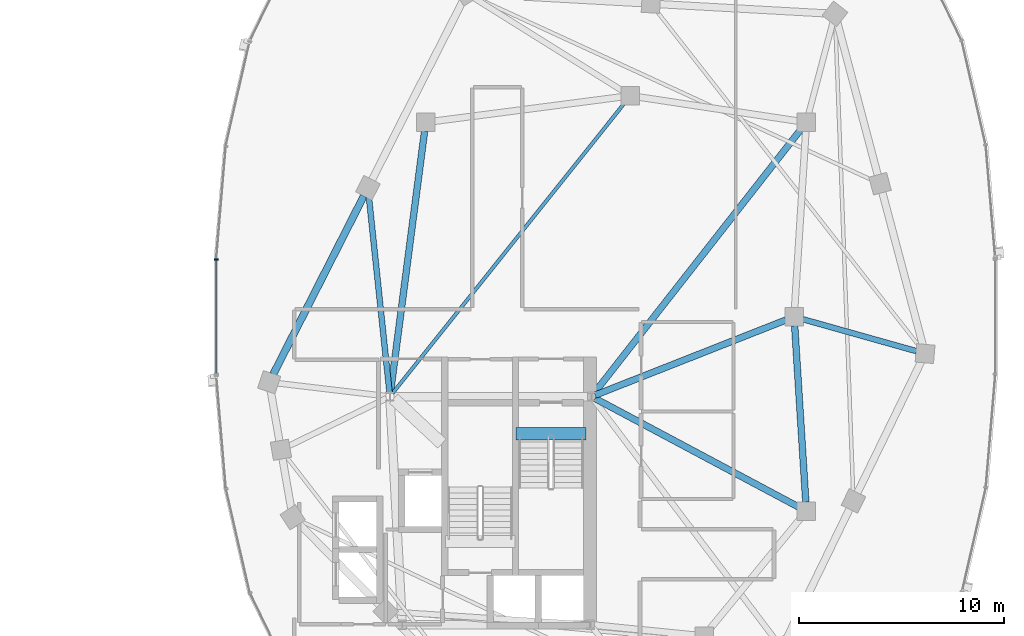
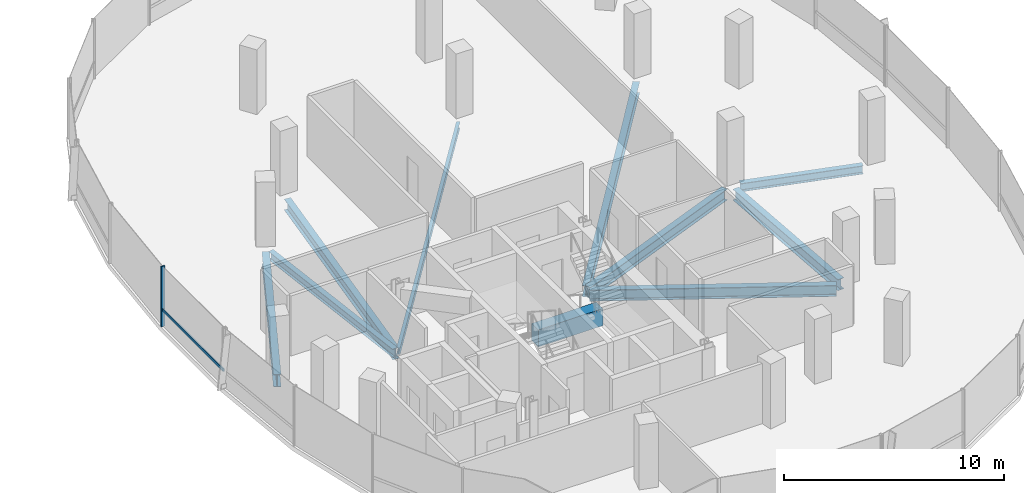
# One storey, part 9 of 24: 10 beams, 2 members, 1 element without a shape of its own.
"""IFC4 building model written with IfcOpenShell, lengths in metres."""

from ifc_helpers import new_model, si_unit, direction, frame, origin, origin_2d, place, context, subcontext, project, spatial, rectangle, i_section, extrude, material, material_profile, profile_set, type_object, element, aggregate, save


model = new_model("IFC4")

# Units and contexts
model_context = context("Model", 3, precision=1e-05, world=origin(), true_north=direction((0.0, 1.0)))
body_context = subcontext(model_context, "Body", "Model", "MODEL_VIEW")
ifc_project = project(units=[si_unit("LENGTHUNIT", "METRE"), si_unit("AREAUNIT", "SQUARE_METRE"), si_unit("VOLUMEUNIT", "CUBIC_METRE"), si_unit("PLANEANGLEUNIT", "RADIAN"), si_unit("MASSUNIT", "GRAM", prefix="KILO"), si_unit("THERMODYNAMICTEMPERATUREUNIT", "KELVIN"), si_unit("POWERUNIT", "WATT")], contexts=[model_context])

# Site, building, storey
site_placement = place(None, origin())
site = spatial("IfcSite", under=ifc_project, at=site_placement, CompositionType="ELEMENT")
building_placement = place(site_placement, origin())
building = spatial("IfcBuilding", under=site, at=building_placement, Name="Cundina Bronze Exchange", CompositionType="ELEMENT")
storey_placement = place(building_placement, frame((0.0, 0.0, 227.800048828125)))
storey = spatial("IfcBuildingStorey", under=building, at=storey_placement, Name="L60", CompositionType="ELEMENT", Elevation=227.800048828125)

# Beams
ifc_material_1 = material(Name="Concrete C60/75", Category="concrete")
ifc_material_profile_1 = material_profile(ifc_material_1, rectangle(XDim=0.60009765625, YDim=0.949951171875, at=origin_2d()), Name="RC600X950", Category="concrete")
ifc_profile_set_1 = profile_set([ifc_material_profile_1], Name="Concrete C60/75")
beam_type_1 = type_object("IfcBeamType", Name="BM-COUP-RC950", PredefinedType="LINTEL", material=ifc_profile_set_1)
beam_1_placement = place(storey_placement, frame((27.6201171875, -5.719970703125, -0.47509765625), z_axis=(1.0, 0.0, 0.0), x_axis=(0.0, 1.0, 0.0)))
element("IfcBeam", 1, at=beam_1_placement, inside=storey, type_object=beam_type_1, Name="L60 Stair E1 Landing Header Beam", PredefinedType="LINTEL", context=body_context, shape_type="SweptSolid", body=[
    extrude(rectangle(XDim=0.60009765625, YDim=0.949951171875, at=origin_2d()), origin(), (0.0, 0.0, 1.0), 3.39990234375),
])
ifc_material_2 = material(Name="Steel ASTM A992 Grade 50", Category="steel")
ifc_material_profile_2 = material_profile(ifc_material_2, i_section(OverallWidth=0.280029296875, OverallDepth=0.462890625, WebThickness=0.0107421875, FlangeThickness=0.017333984375, FilletRadius=0.011962890625, at=origin_2d()), Name="W18X76", Category="steel")
ifc_profile_set_2 = profile_set([ifc_material_profile_2], Name="Steel ASTM A992 Grade 50")
beam_type_2 = type_object("IfcBeamType", Name="BM-FLR-W18A", PredefinedType="BEAM", material=ifc_profile_set_2)
beam_2_placement = place(storey_placement, frame((41.62158203125, -0.11865234375, -0.491455078125), z_axis=(0.96265679604, -0.270724755127, 0.0), x_axis=(0.270724755127, 0.96265679604, 0.0)))
element("IfcBeam", 2, at=beam_2_placement, inside=storey, type_object=beam_type_2, Name="L60 Leg E Chordal Floor Beam 08", PredefinedType="BEAM", context=body_context, shape_type="SweptSolid", body=[
    extrude(i_section(OverallWidth=0.280029296875, OverallDepth=0.462890625, WebThickness=0.0107421875, FlangeThickness=0.017333984375, FilletRadius=0.011962890625, at=origin_2d()), origin(), (0.0, 0.0, 1.0), 5.7724609375),
])
beam_3_placement = place(storey_placement, frame((21.429443359375, -3.705078125, -0.491455078125), z_axis=(-0.104810251666, 0.994492237851, 0.0), x_axis=(-0.994492237851, -0.104810251666, 0.0)))
element("IfcBeam", 3, at=beam_3_placement, inside=storey, type_object=beam_type_2, Name="L60 Leg E Chordal Floor Beam 13", PredefinedType="BEAM", context=body_context, shape_type="SweptSolid", body=[
    extrude(i_section(OverallWidth=0.280029296875, OverallDepth=0.462890625, WebThickness=0.0107421875, FlangeThickness=0.017333984375, FilletRadius=0.011962890625, at=origin_2d()), origin(), (0.0, 0.0, 1.0), 9.62255859375),
])
ifc_material_profile_3 = material_profile(ifc_material_2, i_section(OverallWidth=0.172119140625, OverallDepth=0.35791015625, WebThickness=0.0078125, FlangeThickness=0.01318359375, FilletRadius=0.010009765625, at=origin_2d()), Name="W14X38", Category="steel")
ifc_profile_set_3 = profile_set([ifc_material_profile_3], Name="Steel ASTM A992 Grade 50")
beam_type_3 = type_object("IfcBeamType", Name="BM-JST-W14", PredefinedType="JOIST", material=ifc_profile_set_3)
beam_4_placement = place(storey_placement, frame((21.572509765625, -3.746826171875, -0.43896484375), z_axis=(0.624364266872, 0.781133319129, 0.0), x_axis=(-0.781133319129, 0.624364266872, 0.0)))
element("IfcBeam", 4, at=beam_4_placement, inside=storey, type_object=beam_type_3, Name="L60 E Interior Core-to-Ring Joist 2", PredefinedType="JOIST", context=body_context, shape_type="SweptSolid", body=[
    extrude(i_section(OverallWidth=0.172119140625, OverallDepth=0.35791015625, WebThickness=0.0078125, FlangeThickness=0.01318359375, FilletRadius=0.010009765625, at=origin_2d()), origin(), (0.0, 0.0, 1.0), 18.184814453125),
])
ifc_material_profile_4 = material_profile(ifc_material_2, i_section(OverallWidth=0.324951171875, OverallDepth=0.615966796875, WebThickness=0.013916015625, FlangeThickness=0.021484375, FilletRadius=0.01611328125, at=origin_2d()), Name="W24X117", Category="steel")
ifc_profile_set_4 = profile_set([ifc_material_profile_4], Name="Steel ASTM A992 Grade 50")
beam_type_4 = type_object("IfcBeamType", Name="BM-RING-W24", PredefinedType="USERDEFINED", material=ifc_profile_set_4)
beam_5_placement = place(storey_placement, frame((41.7724609375, -9.06298828125, -0.568115234375), z_axis=(-0.063046519736, 0.998010589297, 0.0), x_axis=(-0.998010589297, -0.063046519736, 0.0)))
element("IfcBeam", 5, at=beam_5_placement, inside=storey, type_object=beam_type_4, Name="L60 E Inner Structural Ring Girder 03", ObjectType="GIRDER", PredefinedType="USERDEFINED", context=body_context, shape_type="SweptSolid", body=[
    extrude(i_section(OverallWidth=0.324951171875, OverallDepth=0.615966796875, WebThickness=0.013916015625, FlangeThickness=0.021484375, FilletRadius=0.01611328125, at=origin_2d()), origin(), (0.0, 0.0, 1.0), 8.64306640625),
])
beam_6_placement = place(storey_placement, frame((23.143310546875, 9.065673828125, -0.568115234375), z_axis=(-0.129501251979, -0.991579258424, 0.0), x_axis=(0.991579258424, -0.129501251979, 0.0)))
element("IfcBeam", 6, at=beam_6_placement, inside=storey, type_object=beam_type_4, Name="L60 E Inner Structural Ring Girder 07", ObjectType="GIRDER", PredefinedType="USERDEFINED", context=body_context, shape_type="SweptSolid", body=[
    extrude(i_section(OverallWidth=0.324951171875, OverallDepth=0.615966796875, WebThickness=0.013916015625, FlangeThickness=0.021484375, FilletRadius=0.01611328125, at=origin_2d()), origin(), (0.0, 0.0, 1.0), 12.8798828125),
])
beam_7_placement = place(storey_placement, frame((31.482421875, -3.828125, -0.568115234375), z_axis=(0.930404106569, 0.366535398673, 0.0), x_axis=(-0.366535398673, 0.930404106569, 0.0)))
element("IfcBeam", 7, at=beam_7_placement, inside=storey, type_object=beam_type_4, Name="L60 E Core-to-Waist Tie Beam 1", ObjectType="GIRDER", PredefinedType="USERDEFINED", context=body_context, shape_type="SweptSolid", body=[
    extrude(i_section(OverallWidth=0.324951171875, OverallDepth=0.615966796875, WebThickness=0.013916015625, FlangeThickness=0.021484375, FilletRadius=0.01611328125, at=origin_2d()), origin(), (0.0, 0.0, 1.0), 10.00634765625),
])
beam_8_placement = place(storey_placement, frame((31.472900390625, -3.9921875, -0.568115234375), z_axis=(0.882350541683, -0.470592734317, 0.0), x_axis=(0.470592734317, 0.882350541683, 0.0)))
element("IfcBeam", 8, at=beam_8_placement, inside=storey, type_object=beam_type_4, Name="L60 E Core-to-Waist Tie Beam 2", ObjectType="GIRDER", PredefinedType="USERDEFINED", context=body_context, shape_type="SweptSolid", body=[
    extrude(i_section(OverallWidth=0.324951171875, OverallDepth=0.615966796875, WebThickness=0.013916015625, FlangeThickness=0.021484375, FilletRadius=0.01611328125, at=origin_2d()), origin(), (0.0, 0.0, 1.0), 11.26611328125),
])
beam_9_placement = place(storey_placement, frame((31.4208984375, -3.74560546875, -0.568115234375), z_axis=(0.616782900053, 0.787133314123, 0.0), x_axis=(-0.787133314123, 0.616782900053, 0.0)))
element("IfcBeam", 9, at=beam_9_placement, inside=storey, type_object=beam_type_4, Name="L60 E Core-to-Waist Tie Beam 3", ObjectType="GIRDER", PredefinedType="USERDEFINED", context=body_context, shape_type="SweptSolid", body=[
    extrude(i_section(OverallWidth=0.324951171875, OverallDepth=0.615966796875, WebThickness=0.013916015625, FlangeThickness=0.021484375, FilletRadius=0.01611328125, at=origin_2d()), origin(), (0.0, 0.0, 1.0), 16.3896484375),
])
ifc_material_profile_5 = material_profile(ifc_material_2, i_section(OverallWidth=0.35498046875, OverallDepth=0.695068359375, WebThickness=0.015380859375, FlangeThickness=0.02490234375, FilletRadius=0.01806640625, at=origin_2d()), Name="W27X146", Category="steel")
ifc_profile_set_5 = profile_set([ifc_material_profile_5], Name="Steel ASTM A992 Grade 50")
beam_type_5 = type_object("IfcBeamType", Name="BM-RING-W27", PredefinedType="USERDEFINED", material=ifc_profile_set_5)
beam_10_placement = place(storey_placement, frame((20.1767578125, 5.909423828125, -0.607666015625), z_axis=(-0.452846871434, -0.891588308039, 0.0), x_axis=(0.891588308039, -0.452846871434, 0.0)))
element("IfcBeam", 10, at=beam_10_placement, inside=storey, type_object=beam_type_5, Name="L60 E Perimeter Ring Girder 13", ObjectType="GIRDER", PredefinedType="USERDEFINED", context=body_context, shape_type="SweptSolid", body=[
    extrude(i_section(OverallWidth=0.35498046875, OverallDepth=0.695068359375, WebThickness=0.015380859375, FlangeThickness=0.02490234375, FilletRadius=0.01806640625, at=origin_2d()), origin(), (0.0, 0.0, 1.0), 9.779052734375),
])

# Curtain wall, members
ifc_material_3 = material(Name="Anodised Bronze Aluminium 6063-T6", Category="aluminium")
curtain_wall_type = type_object("IfcCurtainWallType", Name="CWS-UPP-OFF", PredefinedType="NOTDEFINED", material=ifc_material_3)
curtain_wall_placement = place(storey_placement, origin())
curtain_wall = element("IfcCurtainWall", 11, at=curtain_wall_placement, inside=storey, type_object=curtain_wall_type, Name="L60 CW-05 Curtain Wall Run CWR-L60-E2", PredefinedType="NOTDEFINED")
ifc_material_profile_6 = material_profile(ifc_material_3, rectangle(XDim=0.070068359375, YDim=0.18994140625, at=origin_2d()), Name="AL70X190", Category="aluminium")
ifc_profile_set_6 = profile_set([ifc_material_profile_6], Name="Anodised Bronze Aluminium 6063-T6")
member_type_1 = type_object("IfcMemberType", Name="CWM-MUL-190", PredefinedType="MULLION", material=ifc_profile_set_6)
member_1_placement = place(storey_placement, frame((12.966064453125, 2.794921875, 0.0), z_axis=(0.0, 0.0, 1.0), x_axis=(0.0, -1.0, 0.0)))
member_1 = element("IfcMember", 12, at=member_1_placement, type_object=member_type_1, Name="CW-05 Mullion 7", PredefinedType="MULLION", context=body_context, shape_type="SweptSolid", body=[
    extrude(rectangle(XDim=0.070068359375, YDim=0.18994140625, at=origin_2d()), origin(), (0.0, 0.0, 1.0), 3.33984375),
])
ifc_material_profile_7 = material_profile(ifc_material_3, rectangle(XDim=0.06494140625, YDim=0.14990234375, at=origin_2d()), Name="AL65X150", Category="aluminium")
ifc_profile_set_7 = profile_set([ifc_material_profile_7], Name="Anodised Bronze Aluminium 6063-T6")
member_type_2 = type_object("IfcMemberType", Name="CWM-TRN-150", PredefinedType="USERDEFINED", material=ifc_profile_set_7)
member_2_placement = place(storey_placement, frame((12.966064453125, 2.756591796875, 0.919921875), z_axis=(0.0, -1.0, 0.0), x_axis=(1.0, 0.0, 0.0)))
member_2 = element("IfcMember", 13, at=member_2_placement, type_object=member_type_2, Name="CW-05 Spandrel Transom 7", ObjectType="TRANSOM", PredefinedType="USERDEFINED", context=body_context, shape_type="SweptSolid", body=[
    extrude(rectangle(XDim=0.06494140625, YDim=0.14990234375, at=origin_2d()), origin(), (0.0, 0.0, 1.0), 5.51318359375),
])
aggregate(curtain_wall, [member_1, member_2])

save(model, "model.ifc")
